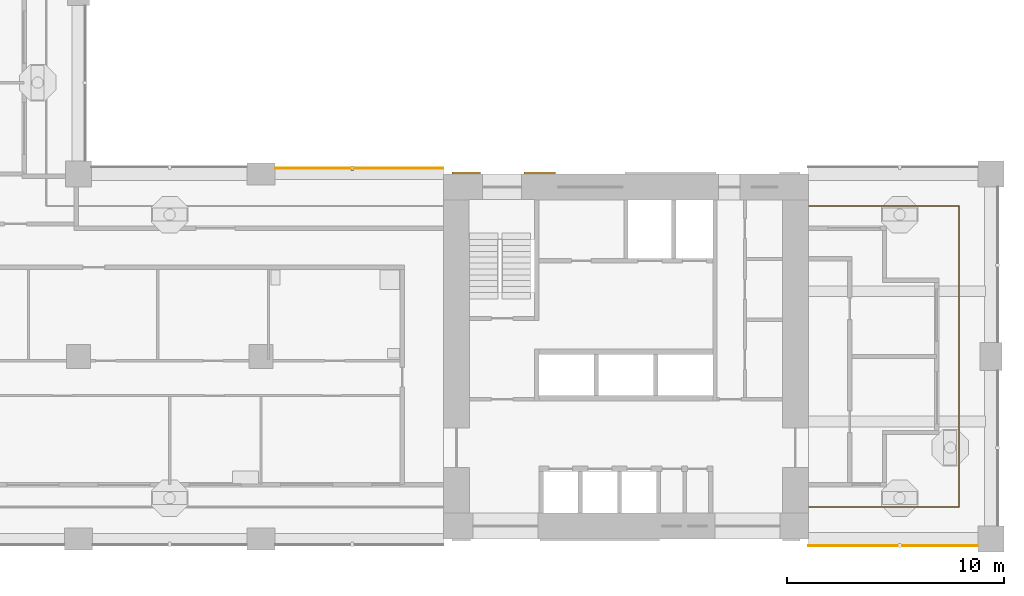
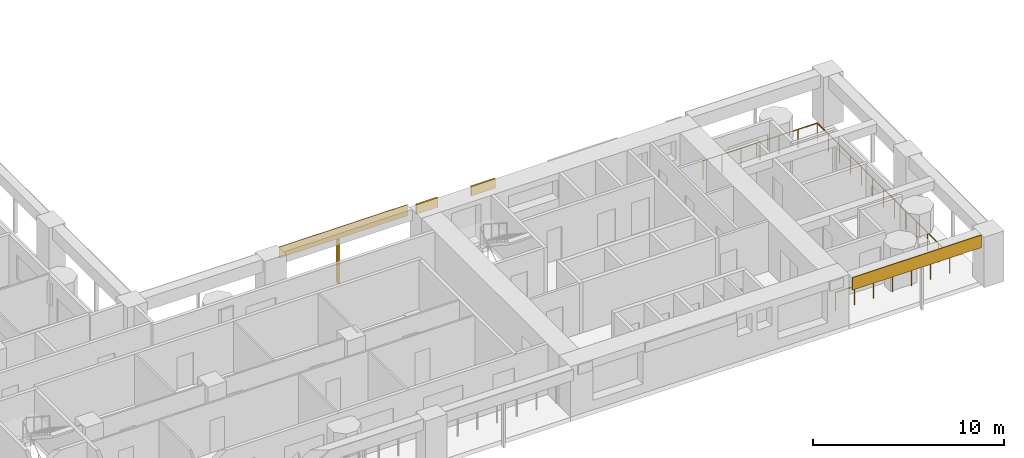
# One storey, part 12 of 18: 5 shading devices, 1 railing.
"""IFC4 building model written with IfcOpenShell, lengths in metres."""

from ifc_helpers import new_model, si_unit, direction, frame, origin, origin_2d, place, context, subcontext, project, spatial, rectangle, circle, extrude, material, layer, layer_set, material_profile, profile_set, type_object, element, save


model = new_model("IFC4")

# Units and contexts
model_context = context("Model", 3, precision=1e-05, world=origin(), true_north=direction((0.0, 1.0)))
body_context = subcontext(model_context, "Body", "Model", "MODEL_VIEW")
ifc_project = project(units=[si_unit("LENGTHUNIT", "METRE"), si_unit("AREAUNIT", "SQUARE_METRE"), si_unit("VOLUMEUNIT", "CUBIC_METRE"), si_unit("PLANEANGLEUNIT", "RADIAN"), si_unit("MASSUNIT", "GRAM", prefix="KILO")], contexts=[model_context])

# Site, building, storey
site_placement = place(None, origin())
site = spatial("IfcSite", under=ifc_project, at=site_placement, CompositionType="ELEMENT")
building_placement = place(site_placement, origin())
building = spatial("IfcBuilding", under=site, at=building_placement, Name="Vermilion Gate Residences", CompositionType="ELEMENT")
storey_placement = place(building_placement, frame((0.0, 0.0, 84.699951171875)))
storey = spatial("IfcBuildingStorey", under=building, at=storey_placement, Name="L20", CompositionType="ELEMENT", Elevation=84.699951171875)

# Railing
ifc_material_1 = material(Name="Stainless steel and toughened glass", Category="steel")
railing_type = type_object("IfcRailingType", Name="LOGGIA GUARD STEEL AND GLASS 1200", PredefinedType="GUARDRAIL", material=ifc_material_1)
railing_placement = place(storey_placement, frame((58.822021484375, 9.875, 0.0)))
element("IfcRailing", 1, at=railing_placement, inside=storey, type_object=railing_type, Name="Loggia guard", PredefinedType="GUARDRAIL", context=body_context, shape_type="SweptSolid", body=[
    extrude(circle(Radius=0.030029296875, at=origin_2d()), frame((0.0, 0.0, 1.169921875), z_axis=(1.0, 0.0, 0.0), x_axis=(0.0, 1.0, 0.0)), (0.0, 0.0, 1.0), 6.903076171875),
    extrude(circle(Radius=0.030029296875, at=origin_2d()), frame((6.903076171875, 0.0, 1.169921875), z_axis=(0.0, 1.0, 0.0), x_axis=(-1.0, 0.0, 0.0)), (0.0, 0.0, 1.0), 13.85009765625),
    extrude(circle(Radius=0.030029296875, at=origin_2d()), frame((6.903076171875, 13.85009765625, 1.169921875), z_axis=(-1.0, 0.0, 0.0), x_axis=(0.0, -1.0, 0.0)), (0.0, 0.0, 1.0), 6.903076171875),
    extrude(circle(Radius=0.02490234375, at=origin_2d()), origin(), (0.0, 0.0, 1.0), 1.139892578125),
    extrude(circle(Radius=0.02490234375, at=origin_2d()), frame((1.150390625, 0.0, 0.0)), (0.0, 0.0, 1.0), 1.139892578125),
    extrude(circle(Radius=0.02490234375, at=origin_2d()), frame((2.301025390625, 0.0, 0.0)), (0.0, 0.0, 1.0), 1.139892578125),
    extrude(circle(Radius=0.02490234375, at=origin_2d()), frame((3.45166015625, 0.0, 0.0)), (0.0, 0.0, 1.0), 1.139892578125),
    extrude(circle(Radius=0.02490234375, at=origin_2d()), frame((4.60205078125, 0.0, 0.0)), (0.0, 0.0, 1.0), 1.139892578125),
    extrude(circle(Radius=0.02490234375, at=origin_2d()), frame((5.75244140625, 0.0, 0.0)), (0.0, 0.0, 1.0), 1.139892578125),
    extrude(circle(Radius=0.02490234375, at=origin_2d()), frame((6.903076171875, 0.0, 0.0)), (0.0, 0.0, 1.0), 1.139892578125),
    extrude(circle(Radius=0.02490234375, at=origin_2d()), frame((6.903076171875, 1.154296875, 0.0)), (0.0, 0.0, 1.0), 1.139892578125),
    extrude(circle(Radius=0.02490234375, at=origin_2d()), frame((6.903076171875, 2.308349609375, 0.0)), (0.0, 0.0, 1.0), 1.139892578125),
    extrude(circle(Radius=0.02490234375, at=origin_2d()), frame((6.903076171875, 3.46240234375, 0.0)), (0.0, 0.0, 1.0), 1.139892578125),
    extrude(circle(Radius=0.02490234375, at=origin_2d()), frame((6.903076171875, 4.61669921875, 0.0)), (0.0, 0.0, 1.0), 1.139892578125),
    extrude(circle(Radius=0.02490234375, at=origin_2d()), frame((6.903076171875, 5.77099609375, 0.0)), (0.0, 0.0, 1.0), 1.139892578125),
    extrude(circle(Radius=0.02490234375, at=origin_2d()), frame((6.903076171875, 6.925048828125, 0.0)), (0.0, 0.0, 1.0), 1.139892578125),
    extrude(circle(Radius=0.02490234375, at=origin_2d()), frame((6.903076171875, 8.0791015625, 0.0)), (0.0, 0.0, 1.0), 1.139892578125),
    extrude(circle(Radius=0.02490234375, at=origin_2d()), frame((6.903076171875, 9.2333984375, 0.0)), (0.0, 0.0, 1.0), 1.139892578125),
    extrude(circle(Radius=0.02490234375, at=origin_2d()), frame((6.903076171875, 10.3876953125, 0.0)), (0.0, 0.0, 1.0), 1.139892578125),
    extrude(circle(Radius=0.02490234375, at=origin_2d()), frame((6.903076171875, 11.541748046875, 0.0)), (0.0, 0.0, 1.0), 1.139892578125),
    extrude(circle(Radius=0.02490234375, at=origin_2d()), frame((6.903076171875, 12.69580078125, 0.0)), (0.0, 0.0, 1.0), 1.139892578125),
    extrude(circle(Radius=0.02490234375, at=origin_2d()), frame((6.903076171875, 13.85009765625, 0.0)), (0.0, 0.0, 1.0), 1.139892578125),
    extrude(circle(Radius=0.02490234375, at=origin_2d()), frame((5.75244140625, 13.85009765625, 0.0)), (0.0, 0.0, 1.0), 1.139892578125),
    extrude(circle(Radius=0.02490234375, at=origin_2d()), frame((4.60205078125, 13.85009765625, 0.0)), (0.0, 0.0, 1.0), 1.139892578125),
    extrude(circle(Radius=0.02490234375, at=origin_2d()), frame((3.45166015625, 13.85009765625, 0.0)), (0.0, 0.0, 1.0), 1.139892578125),
    extrude(circle(Radius=0.02490234375, at=origin_2d()), frame((2.301025390625, 13.85009765625, 0.0)), (0.0, 0.0, 1.0), 1.139892578125),
    extrude(circle(Radius=0.02490234375, at=origin_2d()), frame((1.150390625, 13.85009765625, 0.0)), (0.0, 0.0, 1.0), 1.139892578125),
    extrude(circle(Radius=0.02490234375, at=origin_2d()), frame((0.0, 13.85009765625, 0.0)), (0.0, 0.0, 1.0), 1.139892578125),
])

# Shading devices
ifc_material_2 = material(Name="Perforated terracotta", Category="masonry")
ifc_layer_1 = layer(ifc_material_2, 0.0400390625)
ifc_layer_set_1 = layer_set([ifc_layer_1], Name="PERFORATED TERRACOTTA SCREEN 40")
shading_device_type_1 = type_object("IfcShadingDeviceType", Name="PERFORATED TERRACOTTA SCREEN 40", PredefinedType="SHUTTER", material=ifc_layer_set_1)
shading_device_1_placement = place(storey_placement, frame((62.699951171875, 8.080078125, 2.419921875), z_axis=(0.0, 0.0, 1.0), x_axis=(1.0, 0.0, 0.0)))
element("IfcShadingDevice", 2, at=shading_device_1_placement, inside=storey, type_object=shading_device_type_1, Name="SCREEN", PredefinedType="SHUTTER", context=body_context, shape_type="SweptSolid", body=[
    extrude(rectangle(XDim=7.800048828125, YDim=0.0400390625, at=origin_2d()), origin(), (0.0, 0.0, 1.0), 0.800048828125),
])
shading_device_2_placement = place(storey_placement, frame((38.125, 25.469970703125, 2.52001953125), z_axis=(0.0, 0.0, 1.0), x_axis=(-1.0, 0.0, 0.0)))
element("IfcShadingDevice", 3, at=shading_device_2_placement, inside=storey, type_object=shading_device_type_1, Name="SCREEN", PredefinedType="SHUTTER", context=body_context, shape_type="SweptSolid", body=[
    extrude(rectangle(XDim=7.75, YDim=0.0400390625, at=origin_2d()), origin(), (0.0, 0.0, 1.0), 0.699951171875),
])
ifc_material_3 = material(Name="Extruded terracotta", Category="masonry")
ifc_material_profile = material_profile(ifc_material_3, rectangle(XDim=0.199951171875, YDim=0.10009765625, at=origin_2d()), Name="BAGUETTE 100 X 200")
ifc_profile_set = profile_set([ifc_material_profile], Name="Extruded terracotta")
shading_device_type_2 = type_object("IfcShadingDeviceType", Name="TERRACOTTA BAGUETTE 100 X 200", PredefinedType="JALOUSIE", material=ifc_profile_set)
shading_device_3_placement = place(storey_placement, frame((37.800048828125, 25.449951171875, -0.280029296875), z_axis=(0.0, 0.0, 1.0), x_axis=(0.0, -1.0, 0.0)))
element("IfcShadingDevice", 4, at=shading_device_3_placement, inside=storey, type_object=shading_device_type_2, Name="BAGUETTE", PredefinedType="JALOUSIE", context=body_context, shape_type="SweptSolid", body=[
    extrude(rectangle(XDim=0.199951171875, YDim=0.10009765625, at=origin_2d()), origin(), (0.0, 0.0, 1.0), 2.800048828125),
])
ifc_material_4 = material(Name="Extruded terracotta", Category="masonry")
ifc_layer_2 = layer(ifc_material_4, 0.10009765625)
ifc_layer_set_2 = layer_set([ifc_layer_2], Name="TERRACOTTA SPANDREL BAND 600 X 100")
shading_device_type_3 = type_object("IfcShadingDeviceType", Name="TERRACOTTA SPANDREL BAND 600 X 100", PredefinedType="USERDEFINED", material=ifc_layer_set_2)
shading_device_4_placement = place(storey_placement, frame((43.050048828125, 25.25, 2.6201171875), z_axis=(0.0, 0.0, 1.0), x_axis=(1.0, 0.0, 0.0)))
element("IfcShadingDevice", 5, at=shading_device_4_placement, inside=storey, type_object=shading_device_type_3, Name="SPANDREL BAND", ObjectType="BAND", PredefinedType="USERDEFINED", context=body_context, shape_type="SweptSolid", body=[
    extrude(rectangle(XDim=1.300048828125, YDim=0.10009765625, at=origin_2d()), origin(), (0.0, 0.0, 1.0), 0.60009765625),
])
shading_device_5_placement = place(storey_placement, frame((46.425048828125, 25.25, 2.6201171875), z_axis=(0.0, 0.0, 1.0), x_axis=(1.0, 0.0, 0.0)))
element("IfcShadingDevice", 6, at=shading_device_5_placement, inside=storey, type_object=shading_device_type_3, Name="SPANDREL BAND", ObjectType="BAND", PredefinedType="USERDEFINED", context=body_context, shape_type="SweptSolid", body=[
    extrude(rectangle(XDim=1.449951171875, YDim=0.10009765625, at=origin_2d()), origin(), (0.0, 0.0, 1.0), 0.60009765625),
])

save(model, "model.ifc")
